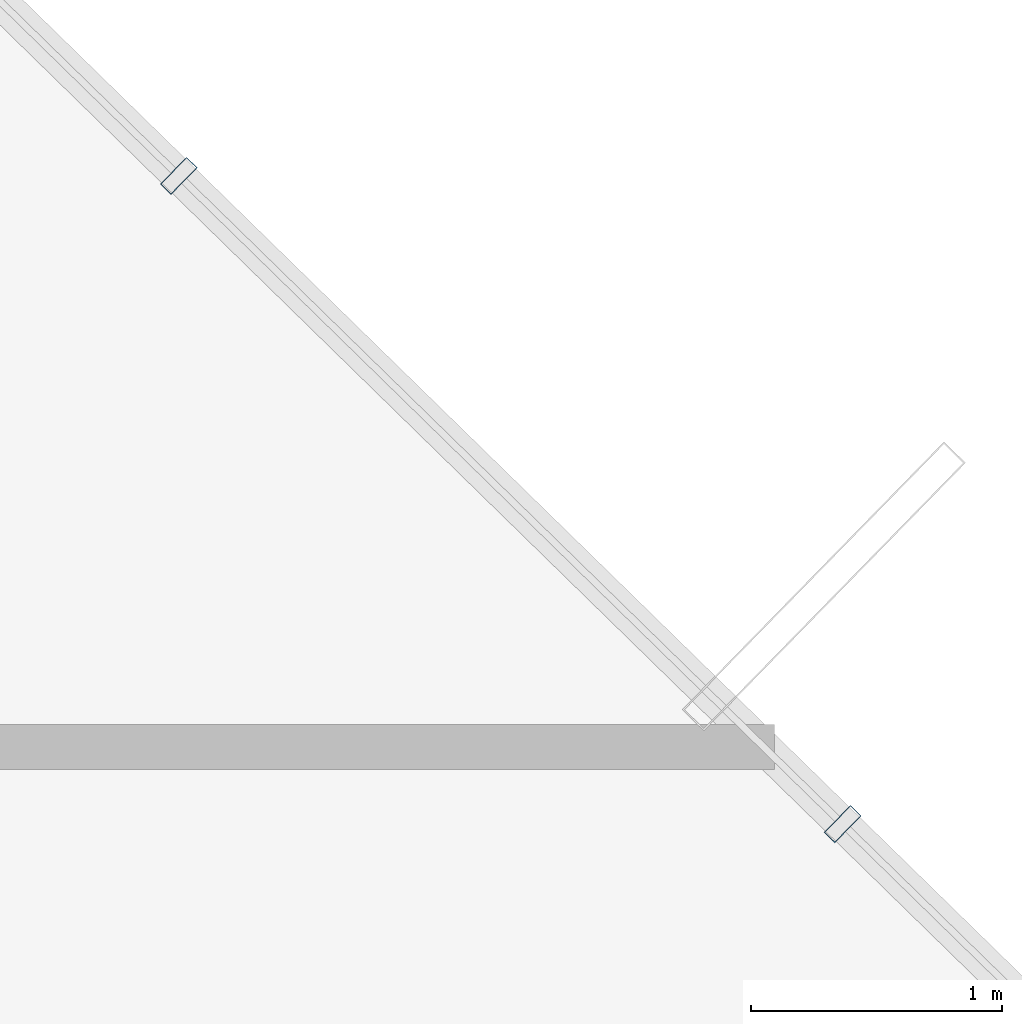
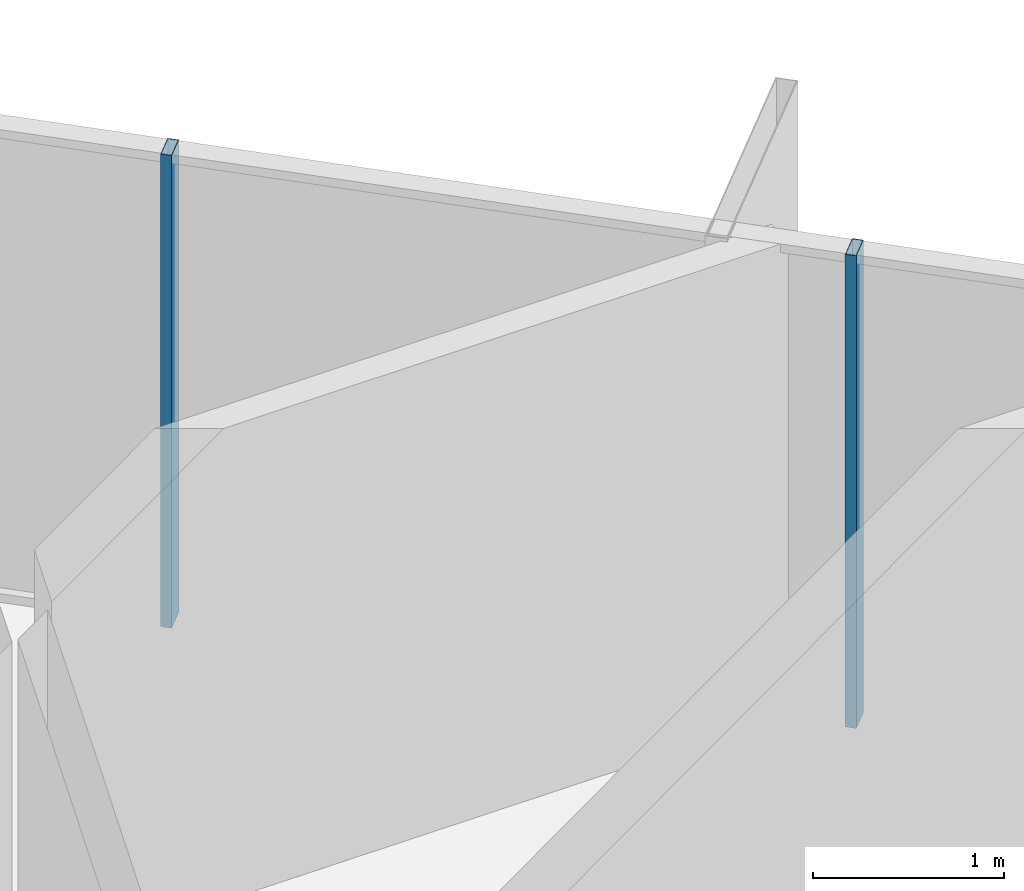
# One storey, part 16 of 29: 2 members, 1 element without a shape of its own.
"""IFC4 building model written with IfcOpenShell, lengths in metres."""

from ifc_helpers import new_model, si_unit, direction, frame, origin, origin_2d, place, context, subcontext, project, spatial, hollow_rectangle, extrude, source, transform, mapped, material, layer, layer_set, material_profile, profile_set, type_object, element, aggregate, save


model = new_model("IFC4")

# Units and contexts
model_context = context("Model", 3, precision=1e-05, world=origin(), true_north=direction((0.0, 1.0)))
body_context = subcontext(model_context, "Body", "Model", "MODEL_VIEW")
ifc_project = project(units=[si_unit("LENGTHUNIT", "METRE"), si_unit("AREAUNIT", "SQUARE_METRE"), si_unit("VOLUMEUNIT", "CUBIC_METRE"), si_unit("PLANEANGLEUNIT", "RADIAN"), si_unit("MASSUNIT", "GRAM", prefix="KILO")], contexts=[model_context])

# Site, building, storey
site_placement = place(None, origin())
site = spatial("IfcSite", under=ifc_project, at=site_placement, CompositionType="ELEMENT")
building_placement = place(site_placement, origin())
building = spatial("IfcBuilding", under=site, at=building_placement, Name="Veraguas Prism Commons", CompositionType="ELEMENT")
storey_placement = place(building_placement, frame((0.0, 0.0, 257.75)))
storey = spatial("IfcBuildingStorey", under=building, at=storey_placement, Name="L73", CompositionType="ELEMENT", Elevation=257.75)

# Curtain wall, members
ifc_material = material(Name="Anodised aluminium EN AW-6063 T6", Category="aluminium")
ifc_layer = layer(ifc_material, 0.14990234375, Name="Unitised Flush Curtain Wall Zone 4", Category="aluminium")
ifc_layer_set = layer_set([ifc_layer], Name="Anodised aluminium EN AW-6063 T6")
curtain_wall_type = type_object("IfcCurtainWallType", Name="Unitised Flush Curtain Wall Zone 4", PredefinedType="NOTDEFINED", material=ifc_layer_set)
curtain_wall_placement = place(storey_placement, origin())
curtain_wall = element("IfcCurtainWall", 1, at=curtain_wall_placement, inside=storey, type_object=curtain_wall_type, Name="Tower Facade Curtain Wall L73-F1", PredefinedType="NOTDEFINED")
ifc_material_profile = material_profile(ifc_material, hollow_rectangle(XDim=0.06005859375, YDim=0.14990234375, WallThickness=0.0029296875, at=origin_2d()), Name="AL60X150X3")
ifc_profile_set = profile_set([ifc_material_profile], Name="Anodised aluminium EN AW-6063 T6")
member_type = type_object("IfcMemberType", Name="Curtain Wall Mullion Upper AL 60x150x3", PredefinedType="MULLION", material=ifc_profile_set)
shared_shape = source(origin(), body_context, "Body", "SweptSolid", [
    extrude(hollow_rectangle(XDim=0.06005859375, YDim=0.14990234375, WallThickness=0.0029296875, at=origin_2d()), origin(), (0.0, 0.0, 1.0), 3.014892578125),
])
member_1_placement = place(storey_placement, frame((38.137451171875, 33.193115234375, 0.0), z_axis=(0.0, 0.0, 1.0), x_axis=(-0.715447677779, 0.698666315462, 0.0)))
member_1 = element("IfcMember", 2, at=member_1_placement, type_object=member_type, Name="CW-Z4 Mullion 2", PredefinedType="MULLION", context=body_context, shape_type="MappedRepresentation", body=[
    mapped(shared_shape, transform((0.0, 0.0, 0.0), scale=1.0)),
])
member_2_placement = place(storey_placement, frame((35.49609375, 35.772216796875, 0.0), z_axis=(0.0, 0.0, 1.0), x_axis=(-0.715447677779, 0.698666315462, 0.0)))
member_2 = element("IfcMember", 3, at=member_2_placement, type_object=member_type, Name="CW-Z4 Mullion 3", PredefinedType="MULLION", context=body_context, shape_type="MappedRepresentation", body=[
    mapped(shared_shape, transform((0.0, 0.0, 0.0), scale=1.0)),
])
aggregate(curtain_wall, [member_1, member_2])

save(model, "model.ifc")
